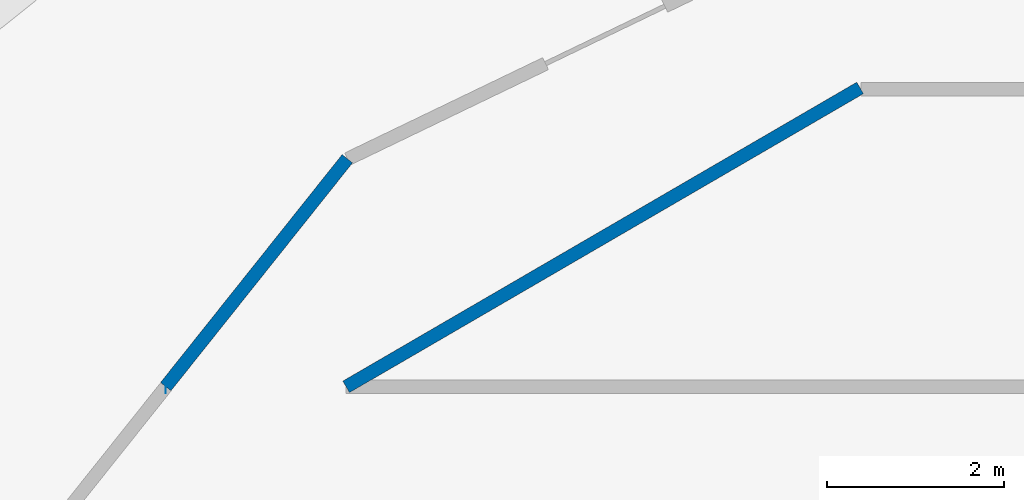
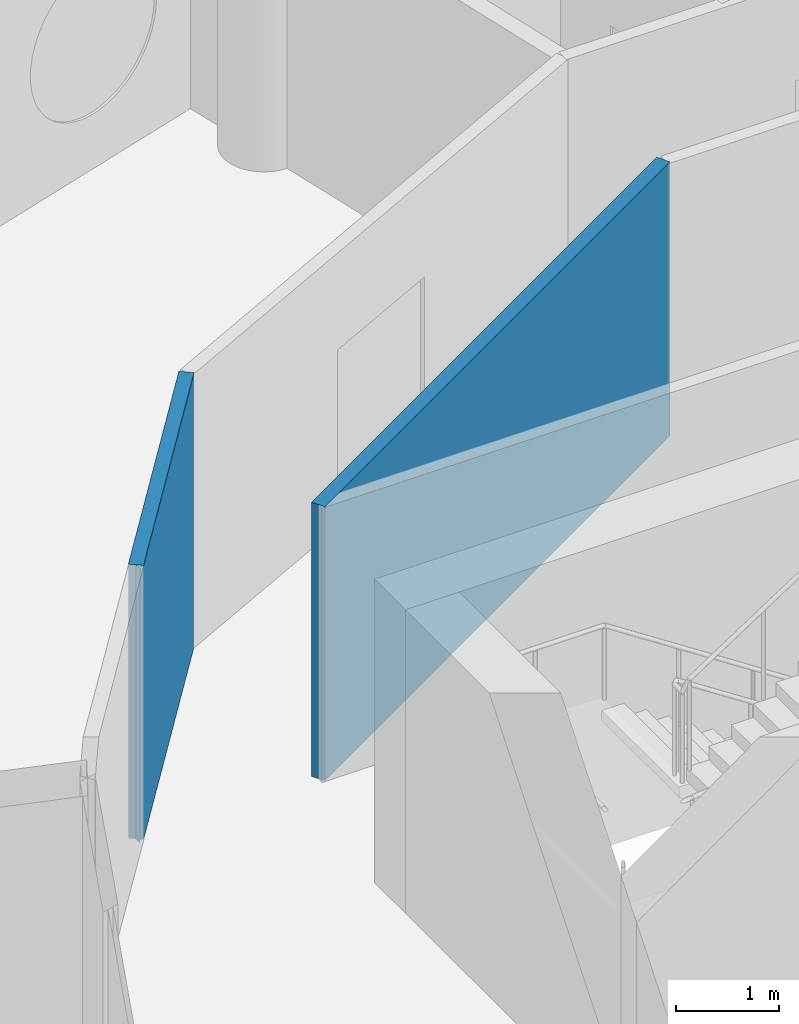
# One storey, part 7 of 13: 3 walls.
"""IFC4 building model written with IfcOpenShell, lengths in metres."""

from ifc_helpers import new_model, si_unit, direction, frame, frame_2d, origin, place, context, subcontext, project, spatial, rectangle, extrude, material, layer, layer_set, type_object, element, save


model = new_model("IFC4")

# Units and contexts
model_context = context("Model", 3, precision=1e-05, world=origin(), true_north=direction((0.0, 1.0)))
body_context = subcontext(model_context, "Body", "Model", "MODEL_VIEW")
ifc_project = project(units=[si_unit("LENGTHUNIT", "METRE"), si_unit("AREAUNIT", "SQUARE_METRE"), si_unit("VOLUMEUNIT", "CUBIC_METRE"), si_unit("PLANEANGLEUNIT", "RADIAN"), si_unit("MASSUNIT", "GRAM", prefix="KILO")], contexts=[model_context])

# Site, building, storey
site_placement = place(None, origin())
site = spatial("IfcSite", under=ifc_project, at=site_placement, CompositionType="ELEMENT")
building_placement = place(site_placement, origin())
building = spatial("IfcBuilding", under=site, at=building_placement, Name="Tracery Tower", CompositionType="ELEMENT")
storey_placement = place(building_placement, frame((0.0, 0.0, 301.800048828125)))
storey = spatial("IfcBuildingStorey", under=building, at=storey_placement, Name="L78", CompositionType="ELEMENT", Elevation=301.800048828125)

# Walls
ifc_material = material(Name="Plasterboard on steel studs", Category="steel")
ifc_layer = layer(ifc_material, 0.14990234375)
ifc_layer_set = layer_set([ifc_layer], Name="Partition 150 corridor wall")
wall_type = type_object("IfcWallType", Name="Partition 150 corridor wall", PredefinedType="PARTITIONING", material=ifc_layer_set)
wall_1_placement = place(storey_placement, frame((-9.092041015625, 8.800048828125, 0.0), z_axis=(0.0, 0.0, 1.0), x_axis=(0.864470922103, 0.502682827277, 0.0)))
element("IfcWall", 1, at=wall_1_placement, inside=storey, type_object=wall_type, Name="Corridor wall RC7-001", PredefinedType="PARTITIONING", context=body_context, shape_type="SweptSolid", body=[
    extrude(rectangle(XDim=6.7353515625, YDim=0.14990234375, at=frame_2d((3.36767578125, 0.0))), origin(), (0.0, 0.0, 1.0), 3.25),
])
wall_2_placement = place(storey_placement, frame((-11.134033203125, 8.800048828125, 0.0), z_axis=(0.0, 0.0, 1.0), x_axis=(-1.0, 0.0, 0.0)))
element("IfcWall", 2, at=wall_2_placement, inside=storey, type_object=wall_type, Name="Corridor wall RC7-008", PredefinedType="PARTITIONING", context=body_context, shape_type="SweptSolid", body=[
    extrude(rectangle(XDim=0.0029296875, YDim=0.14990234375, at=frame_2d((0.00146484375, 0.0))), origin(), (0.0, 0.0, 1.0), 3.25),
])
wall_3_placement = place(storey_placement, frame((-11.135986328125, 8.802001953125, 0.0), z_axis=(0.0, 0.0, 1.0), x_axis=(0.623151397235, 0.782101231379, 0.0)))
element("IfcWall", 3, at=wall_3_placement, inside=storey, type_object=wall_type, Name="Corridor wall RC7-009", PredefinedType="PARTITIONING", context=body_context, shape_type="SweptSolid", body=[
    extrude(rectangle(XDim=3.30078125, YDim=0.14990234375, at=frame_2d((1.650390625, 0.0))), origin(), (0.0, 0.0, 1.0), 3.25),
])

save(model, "model.ifc")
